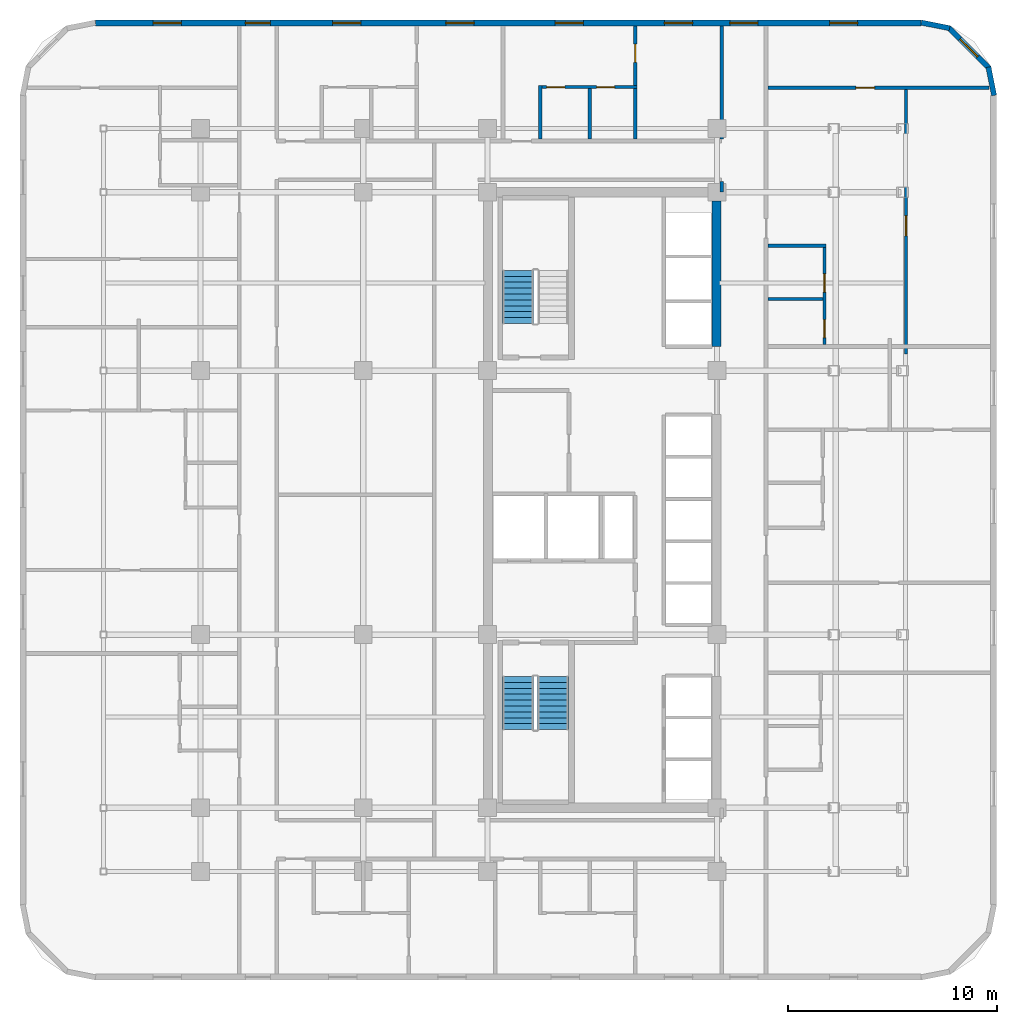
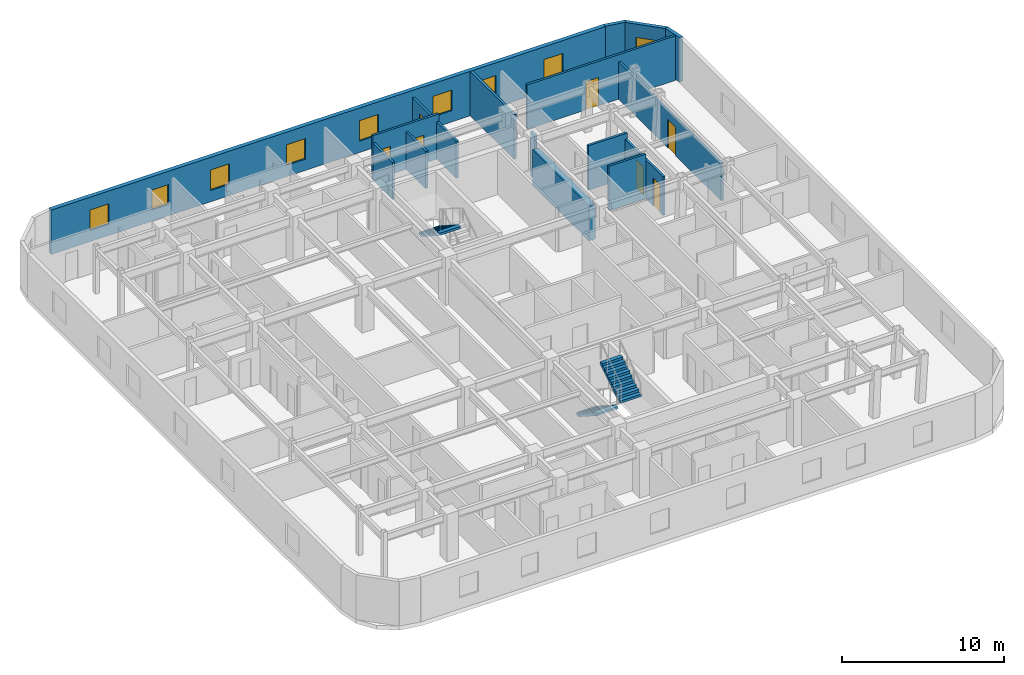
# One storey, part 10 of 12: 16 walls, 9 windows, 7 doors, 3 stair flights, 16 openings, 2 elements without a shape of their own.
"""IFC4 building model written with IfcOpenShell, lengths in metres."""

from ifc_helpers import new_model, si_unit, direction, frame, frame_2d, origin, place, context, subcontext, project, spatial, polyline, rectangle, outline, extrude, material, layer, layer_set, type_object, element, fill, aggregate, save


model = new_model("IFC4")

# Units and contexts
model_context = context("Model", 3, precision=1e-05, world=origin(), true_north=direction((0.0, 1.0)))
body_context = subcontext(model_context, "Body", "Model", "MODEL_VIEW")
ifc_project = project(units=[si_unit("LENGTHUNIT", "METRE"), si_unit("AREAUNIT", "SQUARE_METRE"), si_unit("VOLUMEUNIT", "CUBIC_METRE"), si_unit("PLANEANGLEUNIT", "RADIAN"), si_unit("MASSUNIT", "GRAM", prefix="KILO")], contexts=[model_context])

# Site, building, storey
site_placement = place(None, origin())
site = spatial("IfcSite", under=ifc_project, at=site_placement, CompositionType="ELEMENT")
building_placement = place(site_placement, origin())
building = spatial("IfcBuilding", under=site, at=building_placement, Name="Ochreholt Gables", CompositionType="ELEMENT")
storey_placement = place(building_placement, frame((0.0, 0.0, 24.0)))
storey = spatial("IfcBuildingStorey", under=building, at=storey_placement, Name="L05", CompositionType="ELEMENT", Elevation=24.0)

# Wall
ifc_material_1 = material(Name="Concrete 60 MPa", Category="concrete")
ifc_layer_1 = layer(ifc_material_1, 0.449951171875, Name="Concrete 60 MPa")
ifc_layer_set_1 = layer_set([ifc_layer_1], Name="Concrete 60 MPa")
wall_type_1 = type_object("IfcWallType", Name="WALL-CSW-450", PredefinedType="SHEAR", material=ifc_layer_set_1)
wall_1_placement = place(storey_placement, frame((35.175048828125, 31.35009765625, 0.0), z_axis=(0.0, 0.0, 1.0), x_axis=(0.0, 1.0, 0.0)))
element("IfcWall", 1, at=wall_1_placement, inside=storey, type_object=wall_type_1, Name="L05 Core North-East Shear Wall", PredefinedType="SHEAR", context=body_context, shape_type="SweptSolid", body=[
    extrude(rectangle(XDim=6.974853515625, YDim=0.449951171875, at=frame_2d((3.4873046875, 0.0))), origin(), (0.0, 0.0, 1.0), 2.6669921875),
])

# Wall, openings, windows
ifc_material_2 = material(Name="Precast concrete 40 MPa", Category="concrete")
ifc_layer_2 = layer(ifc_material_2, 0.2900390625, Name="Precast concrete 40 MPa")
ifc_layer_set_2 = layer_set([ifc_layer_2], Name="Precast concrete 40 MPa")
wall_type_2 = type_object("IfcWallType", Name="WALL-EXT-290", PredefinedType="SOLIDWALL", material=ifc_layer_set_2)
wall_2_placement = place(storey_placement, frame((44.97998046875, 46.85498046875, 0.0), z_axis=(0.0, 0.0, 1.0), x_axis=(-1.0, 0.0, 0.0)))
wall_2 = element("IfcWall", 2, at=wall_2_placement, inside=storey, type_object=wall_type_2, Name="L05 North Exterior Wall", PredefinedType="SOLIDWALL", context=body_context, shape_type="SweptSolid", body=[
    extrude(rectangle(XDim=39.56005859375, YDim=0.2900390625, at=frame_2d((19.780029296875, 0.0))), origin(), (0.0, 0.0, 1.0), 3.360107421875),
])
opening_1_placement = place(wall_2_placement, frame((35.445068359375, 0.0, 0.85009765625)))
opening_1 = element("IfcOpeningElement", 3, at=opening_1_placement, cuts=wall_2, Name="Opening WN-8", PredefinedType="OPENING", context=body_context, shape_type="SweptSolid", body=[
    extrude(rectangle(XDim=1.35009765625, YDim=1.550048828125, at=frame_2d((0.675048828125, 0.77490234375))), frame((0.0, 0.155029296875, 0.0), z_axis=(0.0, -1.0, 0.0), x_axis=(1.0, 0.0, 0.0)), (0.0, 0.0, 1.0), 0.31005859375),
])
opening_2_placement = place(wall_2_placement, frame((31.179931640625, 0.0, 0.85009765625)))
opening_2 = element("IfcOpeningElement", 4, at=opening_2_placement, cuts=wall_2, Name="Opening WN-3", PredefinedType="OPENING", context=body_context, shape_type="SweptSolid", body=[
    extrude(rectangle(XDim=1.199951171875, YDim=1.5, at=frame_2d((0.60009765625, 0.75))), frame((0.0, 0.155029296875, 0.0), z_axis=(0.0, -1.0, 0.0), x_axis=(1.0, 0.0, 0.0)), (0.0, 0.0, 1.0), 0.31005859375),
])
opening_3_placement = place(wall_2_placement, frame((26.85009765625, 0.0, 0.85009765625)))
opening_3 = element("IfcOpeningElement", 5, at=opening_3_placement, cuts=wall_2, Name="Opening WN-8", PredefinedType="OPENING", context=body_context, shape_type="SweptSolid", body=[
    extrude(rectangle(XDim=1.35009765625, YDim=1.550048828125, at=frame_2d((0.675048828125, 0.77490234375))), frame((0.0, 0.155029296875, 0.0), z_axis=(0.0, -1.0, 0.0), x_axis=(1.0, 0.0, 0.0)), (0.0, 0.0, 1.0), 0.31005859375),
])
opening_4_placement = place(wall_2_placement, frame((21.42529296875, 0.0, 0.85009765625)))
opening_4 = element("IfcOpeningElement", 6, at=opening_4_placement, cuts=wall_2, Name="Opening WN-8", PredefinedType="OPENING", context=body_context, shape_type="SweptSolid", body=[
    extrude(rectangle(XDim=1.35009765625, YDim=1.550048828125, at=frame_2d((0.675048828125, 0.77490234375))), frame((0.0, 0.155029296875, 0.0), z_axis=(0.0, -1.0, 0.0), x_axis=(1.0, 0.0, 0.0)), (0.0, 0.0, 1.0), 0.31005859375),
])
opening_5_placement = place(wall_2_placement, frame((16.190185546875, 0.0, 0.85009765625)))
opening_5 = element("IfcOpeningElement", 7, at=opening_5_placement, cuts=wall_2, Name="Opening WN-8", PredefinedType="OPENING", context=body_context, shape_type="SweptSolid", body=[
    extrude(rectangle(XDim=1.35009765625, YDim=1.550048828125, at=frame_2d((0.675048828125, 0.77490234375))), frame((0.0, 0.155029296875, 0.0), z_axis=(0.0, -1.0, 0.0), x_axis=(1.0, 0.0, 0.0)), (0.0, 0.0, 1.0), 0.31005859375),
])
opening_6_placement = place(wall_2_placement, frame((10.955078125, 0.0, 0.85009765625)))
opening_6 = element("IfcOpeningElement", 8, at=opening_6_placement, cuts=wall_2, Name="Opening WN-8", PredefinedType="OPENING", context=body_context, shape_type="SweptSolid", body=[
    extrude(rectangle(XDim=1.35009765625, YDim=1.550048828125, at=frame_2d((0.675048828125, 0.77490234375))), frame((0.0, 0.155029296875, 0.0), z_axis=(0.0, -1.0, 0.0), x_axis=(1.0, 0.0, 0.0)), (0.0, 0.0, 1.0), 0.31005859375),
])
opening_7_placement = place(wall_2_placement, frame((7.820068359375, 0.0, 0.85009765625)))
opening_7 = element("IfcOpeningElement", 9, at=opening_7_placement, cuts=wall_2, Name="Opening WN-8", PredefinedType="OPENING", context=body_context, shape_type="SweptSolid", body=[
    extrude(rectangle(XDim=1.35009765625, YDim=1.550048828125, at=frame_2d((0.675048828125, 0.77490234375))), frame((0.0, 0.155029296875, 0.0), z_axis=(0.0, -1.0, 0.0), x_axis=(1.0, 0.0, 0.0)), (0.0, 0.0, 1.0), 0.31005859375),
])
opening_8_placement = place(wall_2_placement, frame((3.0400390625, 0.0, 0.85009765625)))
opening_8 = element("IfcOpeningElement", 10, at=opening_8_placement, cuts=wall_2, Name="Opening WN-8", PredefinedType="OPENING", context=body_context, shape_type="SweptSolid", body=[
    extrude(rectangle(XDim=1.35009765625, YDim=1.550048828125, at=frame_2d((0.675048828125, 0.77490234375))), frame((0.0, 0.155029296875, 0.0), z_axis=(0.0, -1.0, 0.0), x_axis=(1.0, 0.0, 0.0)), (0.0, 0.0, 1.0), 0.31005859375),
])
ifc_material_3 = material(Name="Triple-Glazed Thermally Broken Aluminium Window", Category="aluminium")
window_type_1 = type_object("IfcWindowType", Name="WIN-RES-1200", PartitioningType="SINGLE_PANEL", PredefinedType="WINDOW", material=ifc_material_3)
window_1_placement = place(opening_2_placement, origin())
window_1 = element("IfcWindow", 11, at=window_1_placement, inside=storey, type_object=window_type_1, Name="L05 Window W-EXT-N-L05-2", OverallHeight=1.5, OverallWidth=1.199951171875, PartitioningType="SINGLE_PANEL", PredefinedType="WINDOW", context=body_context, shape_type="SweptSolid", body=[
    extrude(rectangle(XDim=1.199951171875, YDim=1.5, at=frame_2d((0.60009765625, 0.75))), frame((0.0, 0.030029296875, 0.0), z_axis=(0.0, -1.0, 0.0), x_axis=(1.0, 0.0, 0.0)), (0.0, 0.0, 1.0), 0.06005859375),
])
fill(opening_2, window_1)
window_type_2 = type_object("IfcWindowType", Name="WIN-RES-1350", PartitioningType="SINGLE_PANEL", PredefinedType="WINDOW", material=ifc_material_3)
window_2_placement = place(opening_1_placement, origin())
window_2 = element("IfcWindow", 12, at=window_2_placement, inside=storey, type_object=window_type_2, Name="L05 Window W-EXT-N-L05-1", OverallHeight=1.550048828125, OverallWidth=1.35009765625, PartitioningType="SINGLE_PANEL", PredefinedType="WINDOW", context=body_context, shape_type="SweptSolid", body=[
    extrude(rectangle(XDim=1.35009765625, YDim=1.550048828125, at=frame_2d((0.675048828125, 0.77490234375))), frame((0.0, 0.030029296875, 0.0), z_axis=(0.0, -1.0, 0.0), x_axis=(1.0, 0.0, 0.0)), (0.0, 0.0, 1.0), 0.06005859375),
])
fill(opening_1, window_2)
window_3_placement = place(opening_3_placement, origin())
window_3 = element("IfcWindow", 13, at=window_3_placement, inside=storey, type_object=window_type_2, Name="L05 Window W-EXT-N-L05-3", OverallHeight=1.550048828125, OverallWidth=1.35009765625, PartitioningType="SINGLE_PANEL", PredefinedType="WINDOW", context=body_context, shape_type="SweptSolid", body=[
    extrude(rectangle(XDim=1.35009765625, YDim=1.550048828125, at=frame_2d((0.675048828125, 0.77490234375))), frame((0.0, 0.030029296875, 0.0), z_axis=(0.0, -1.0, 0.0), x_axis=(1.0, 0.0, 0.0)), (0.0, 0.0, 1.0), 0.06005859375),
])
fill(opening_3, window_3)
window_4_placement = place(opening_4_placement, origin())
window_4 = element("IfcWindow", 14, at=window_4_placement, inside=storey, type_object=window_type_2, Name="L05 Window W-EXT-N-L05-4", OverallHeight=1.550048828125, OverallWidth=1.35009765625, PartitioningType="SINGLE_PANEL", PredefinedType="WINDOW", context=body_context, shape_type="SweptSolid", body=[
    extrude(rectangle(XDim=1.35009765625, YDim=1.550048828125, at=frame_2d((0.675048828125, 0.77490234375))), frame((0.0, 0.030029296875, 0.0), z_axis=(0.0, -1.0, 0.0), x_axis=(1.0, 0.0, 0.0)), (0.0, 0.0, 1.0), 0.06005859375),
])
fill(opening_4, window_4)
window_5_placement = place(opening_5_placement, origin())
window_5 = element("IfcWindow", 15, at=window_5_placement, inside=storey, type_object=window_type_2, Name="L05 Window W-EXT-N-L05-5", OverallHeight=1.550048828125, OverallWidth=1.35009765625, PartitioningType="SINGLE_PANEL", PredefinedType="WINDOW", context=body_context, shape_type="SweptSolid", body=[
    extrude(rectangle(XDim=1.35009765625, YDim=1.550048828125, at=frame_2d((0.675048828125, 0.77490234375))), frame((0.0, 0.030029296875, 0.0), z_axis=(0.0, -1.0, 0.0), x_axis=(1.0, 0.0, 0.0)), (0.0, 0.0, 1.0), 0.06005859375),
])
fill(opening_5, window_5)
window_6_placement = place(opening_6_placement, origin())
window_6 = element("IfcWindow", 16, at=window_6_placement, inside=storey, type_object=window_type_2, Name="L05 Window W-EXT-N-L05-6", OverallHeight=1.550048828125, OverallWidth=1.35009765625, PartitioningType="SINGLE_PANEL", PredefinedType="WINDOW", context=body_context, shape_type="SweptSolid", body=[
    extrude(rectangle(XDim=1.35009765625, YDim=1.550048828125, at=frame_2d((0.675048828125, 0.77490234375))), frame((0.0, 0.030029296875, 0.0), z_axis=(0.0, -1.0, 0.0), x_axis=(1.0, 0.0, 0.0)), (0.0, 0.0, 1.0), 0.06005859375),
])
fill(opening_6, window_6)
window_7_placement = place(opening_7_placement, origin())
window_7 = element("IfcWindow", 17, at=window_7_placement, inside=storey, type_object=window_type_2, Name="L05 Window W-EXT-N-L05-7", OverallHeight=1.550048828125, OverallWidth=1.35009765625, PartitioningType="SINGLE_PANEL", PredefinedType="WINDOW", context=body_context, shape_type="SweptSolid", body=[
    extrude(rectangle(XDim=1.35009765625, YDim=1.550048828125, at=frame_2d((0.675048828125, 0.77490234375))), frame((0.0, 0.030029296875, 0.0), z_axis=(0.0, -1.0, 0.0), x_axis=(1.0, 0.0, 0.0)), (0.0, 0.0, 1.0), 0.06005859375),
])
fill(opening_7, window_7)
window_8_placement = place(opening_8_placement, origin())
window_8 = element("IfcWindow", 18, at=window_8_placement, inside=storey, type_object=window_type_2, Name="L05 Window W-EXT-N-L05-8", OverallHeight=1.550048828125, OverallWidth=1.35009765625, PartitioningType="SINGLE_PANEL", PredefinedType="WINDOW", context=body_context, shape_type="SweptSolid", body=[
    extrude(rectangle(XDim=1.35009765625, YDim=1.550048828125, at=frame_2d((0.675048828125, 0.77490234375))), frame((0.0, 0.030029296875, 0.0), z_axis=(0.0, -1.0, 0.0), x_axis=(1.0, 0.0, 0.0)), (0.0, 0.0, 1.0), 0.06005859375),
])
fill(opening_8, window_8)

# Wall
ifc_layer_3 = layer(ifc_material_2, 0.25, Name="Precast concrete 40 MPa")
ifc_layer_set_3 = layer_set([ifc_layer_3], Name="Precast concrete 40 MPa")
wall_type_3 = type_object("IfcWallType", Name="WALL-EXT-CNR", PredefinedType="SOLIDWALL", material=ifc_layer_set_3)
wall_3_placement = place(storey_placement, frame((48.475830078125, 43.383544921875, 0.0), z_axis=(0.0, 0.0, 1.0), x_axis=(-0.19496651342, 0.980809899341, 0.0)))
element("IfcWall", 19, at=wall_3_placement, inside=storey, type_object=wall_type_3, Name="L05 Rounded Corner Wall NE-1", PredefinedType="SOLIDWALL", context=body_context, shape_type="SweptSolid", body=[
    extrude(rectangle(XDim=1.388671875, YDim=0.25, at=frame_2d((0.6943359375, 0.0))), origin(), (0.0, 0.0, 1.0), 3.360107421875),
])

# Wall, opening, window
wall_4_placement = place(storey_placement, frame((48.23193359375, 44.695068359375, 0.0), z_axis=(0.0, 0.0, 1.0), x_axis=(-0.707106781187, 0.707106781187, 0.0)))
wall_4 = element("IfcWall", 20, at=wall_4_placement, inside=storey, type_object=wall_type_3, Name="L05 Rounded Corner Wall NE-2", PredefinedType="SOLIDWALL", context=body_context, shape_type="SweptSolid", body=[
    extrude(rectangle(XDim=2.7392578125, YDim=0.25, at=frame_2d((1.36962890625, 0.0))), origin(), (0.0, 0.0, 1.0), 3.360107421875),
])
opening_9_placement = place(wall_4_placement, frame((0.769775390625, 0.0, 0.85009765625)))
opening_9 = element("IfcOpeningElement", 21, at=opening_9_placement, cuts=wall_4, Name="Opening WN-3", PredefinedType="OPENING", context=body_context, shape_type="SweptSolid", body=[
    extrude(rectangle(XDim=1.199951171875, YDim=1.5, at=frame_2d((0.60009765625, 0.75))), frame((0.0, 0.135009765625, 0.0), z_axis=(0.0, -1.0, 0.0), x_axis=(1.0, 0.0, 0.0)), (0.0, 0.0, 1.0), 0.27001953125),
])
window_9_placement = place(opening_9_placement, origin())
window_9 = element("IfcWindow", 22, at=window_9_placement, inside=storey, type_object=window_type_1, Name="L05 Corner Bedroom Window NE", OverallHeight=1.5, OverallWidth=1.199951171875, PartitioningType="SINGLE_PANEL", PredefinedType="WINDOW", context=body_context, shape_type="SweptSolid", body=[
    extrude(rectangle(XDim=1.199951171875, YDim=1.5, at=frame_2d((0.60009765625, 0.75))), frame((0.0, 0.030029296875, 0.0), z_axis=(0.0, -1.0, 0.0), x_axis=(1.0, 0.0, 0.0)), (0.0, 0.0, 1.0), 0.06005859375),
])
fill(opening_9, window_9)

# Walls
wall_5_placement = place(storey_placement, frame((46.345458984375, 46.60498046875, 0.0), z_axis=(0.0, 0.0, 1.0), x_axis=(-0.980809899341, 0.19496651342, 0.0)))
element("IfcWall", 23, at=wall_5_placement, inside=storey, type_object=wall_type_3, Name="L05 Rounded Corner Wall NE-3", PredefinedType="SOLIDWALL", context=body_context, shape_type="SweptSolid", body=[
    extrude(rectangle(XDim=1.388671875, YDim=0.25, at=frame_2d((0.6943359375, 0.0))), origin(), (0.0, 0.0, 1.0), 3.360107421875),
])
ifc_material_4 = material(Name="Fire-Rated Gypsum Acoustic Partition", Category="gypsum")
ifc_layer_4 = layer(ifc_material_4, 0.179931640625, Name="Fire-Rated Gypsum Acoustic Partition")
ifc_layer_set_4 = layer_set([ifc_layer_4], Name="Fire-Rated Gypsum Acoustic Partition")
wall_type_4 = type_object("IfcWallType", Name="WALL-INT-CR180", PredefinedType="STANDARD", material=ifc_layer_set_4)
wall_6_placement = place(storey_placement, frame((35.419921875, 38.75, 0.0), z_axis=(0.0, 0.0, 1.0), x_axis=(0.0, 1.0, 0.0)))
element("IfcWall", 24, at=wall_6_placement, inside=storey, type_object=wall_type_4, Name="L05 Interior Wall WI-C1ENW2-L05", PredefinedType="STANDARD", context=body_context, shape_type="SweptSolid", body=[
    extrude(rectangle(XDim=0.510009765625, YDim=0.179931640625, at=frame_2d((0.2548828125, 0.0))), origin(), (0.0, 0.0, 1.0), 3.360107421875),
])
ifc_material_5 = material(Name="Double-Stud Acoustic Demising Wall", Category="gypsum")
ifc_layer_5 = layer(ifc_material_5, 0.179931640625, Name="Double-Stud Acoustic Demising Wall")
ifc_layer_set_5 = layer_set([ifc_layer_5], Name="Double-Stud Acoustic Demising Wall")
wall_type_5 = type_object("IfcWallType", Name="WALL-INT-DM180", PredefinedType="PARTITIONING", material=ifc_layer_set_5)
wall_7_placement = place(storey_placement, frame((35.419921875, 41.2900390625, 0.0), z_axis=(0.0, 0.0, 1.0), x_axis=(0.0, 1.0, 0.0)))
element("IfcWall", 25, at=wall_7_placement, inside=storey, type_object=wall_type_5, Name="L05 Interior Wall WI-C1ENW-L05", PredefinedType="PARTITIONING", context=body_context, shape_type="SweptSolid", body=[
    extrude(rectangle(XDim=5.419921875, YDim=0.179931640625, at=frame_2d((2.7099609375, 0.0))), origin(), (0.0, 0.0, 1.0), 3.360107421875),
])
ifc_material_6 = material(Name="Moisture-Resistant Plumbing Chase Wall", Category="gypsum")
ifc_layer_6 = layer(ifc_material_6, 0.159912109375, Name="Moisture-Resistant Plumbing Chase Wall")
ifc_layer_set_6 = layer_set([ifc_layer_6], Name="Moisture-Resistant Plumbing Chase Wall")
wall_type_6 = type_object("IfcWallType", Name="WALL-INT-PL160", PredefinedType="PLUMBINGWALL", material=ifc_layer_set_6)
wall_8_placement = place(storey_placement, frame((37.639892578125, 36.185546875, 0.0), z_axis=(0.0, 0.0, 1.0), x_axis=(1.0, 0.0, 0.0)))
element("IfcWall", 26, at=wall_8_placement, inside=storey, type_object=wall_type_6, Name="L05 Interior Wall WU-L05E3-FYN", PredefinedType="PLUMBINGWALL", context=body_context, shape_type="SweptSolid", body=[
    extrude(rectangle(XDim=2.7880859375, YDim=0.159912109375, at=frame_2d((1.39404296875, 0.0))), origin(), (0.0, 0.0, 1.0), 3.360107421875),
])

# Wall, openings, doors
wall_9_placement = place(storey_placement, frame((40.347900390625, 31.449951171875, 0.0), z_axis=(0.0, 0.0, 1.0), x_axis=(0.0, 1.0, 0.0)))
wall_9 = element("IfcWall", 27, at=wall_9_placement, inside=storey, type_object=wall_type_6, Name="L05 Interior Wall WU-L05E3-WX", PredefinedType="PLUMBINGWALL", context=body_context, shape_type="SweptSolid", body=[
    extrude(rectangle(XDim=4.825439453125, YDim=0.159912109375, at=frame_2d((2.41259765625, 0.0))), origin(), (0.0, 0.0, 1.0), 2.931884765625),
])
opening_10_placement = place(wall_9_placement, frame((0.330078125, 0.0, 0.0)))
opening_10 = element("IfcOpeningElement", 28, at=opening_10_placement, cuts=wall_9, Name="Opening D-BT1", PredefinedType="OPENING", context=body_context, shape_type="SweptSolid", body=[
    extrude(rectangle(XDim=0.860107421875, YDim=2.1201171875, at=frame_2d((0.43017578125, 1.06005859375))), frame((0.0, 0.08984375, 0.0), z_axis=(0.0, -1.0, 0.0), x_axis=(1.0, 0.0, 0.0)), (0.0, 0.0, 1.0), 0.179931640625),
])
opening_11_placement = place(wall_9_placement, frame((2.50830078125, 0.0, 0.0)))
opening_11 = element("IfcOpeningElement", 29, at=opening_11_placement, cuts=wall_9, Name="Opening D-GN2", PredefinedType="OPENING", context=body_context, shape_type="SweptSolid", body=[
    extrude(rectangle(XDim=0.8798828125, YDim=2.1201171875, at=frame_2d((0.43994140625, 1.06005859375))), frame((0.0, 0.08984375, 0.0), z_axis=(0.0, -1.0, 0.0), x_axis=(1.0, 0.0, 0.0)), (0.0, 0.0, 1.0), 0.179931640625),
])
ifc_material_7 = material(Name="Engineered Oak Timber", Category="wood")
door_type_1 = type_object("IfcDoorType", Name="DR-INT-BTH860", OperationType="NOTDEFINED", PredefinedType="DOOR", material=ifc_material_7)
door_1_placement = place(opening_10_placement, origin())
door_1 = element("IfcDoor", 30, at=door_1_placement, inside=storey, type_object=door_type_1, Name="L05 Door D-U-L05E3-BTH", OperationType="SINGLE_SWING_LEFT", OverallHeight=2.1201171875, OverallWidth=0.860107421875, PredefinedType="DOOR", context=body_context, shape_type="SweptSolid", body=[
    extrude(rectangle(XDim=0.860107421875, YDim=2.1201171875, at=frame_2d((0.43017578125, 1.06005859375))), frame((0.0, 0.02490234375, 0.0), z_axis=(0.0, -1.0, 0.0), x_axis=(1.0, 0.0, 0.0)), (0.0, 0.0, 1.0), 0.050048828125),
])
fill(opening_10, door_1)
door_type_2 = type_object("IfcDoorType", Name="DR-INT-GEN880", OperationType="NOTDEFINED", PredefinedType="DOOR", material=ifc_material_7)
door_2_placement = place(opening_11_placement, origin())
door_2 = element("IfcDoor", 31, at=door_2_placement, inside=storey, type_object=door_type_2, Name="L05 Door D-U-L05E3-KIT", OperationType="SINGLE_SWING_RIGHT", OverallHeight=2.1201171875, OverallWidth=0.8798828125, PredefinedType="DOOR", context=body_context, shape_type="SweptSolid", body=[
    extrude(rectangle(XDim=0.8798828125, YDim=2.1201171875, at=frame_2d((0.43994140625, 1.06005859375))), frame((0.0, 0.02490234375, 0.0), z_axis=(0.0, -1.0, 0.0), x_axis=(1.0, 0.0, 0.0)), (0.0, 0.0, 1.0), 0.050048828125),
])
fill(opening_11, door_2)

# Wall
wall_10_placement = place(storey_placement, frame((37.639892578125, 33.62841796875, 0.0), z_axis=(0.0, 0.0, 1.0), x_axis=(1.0, 0.0, 0.0)))
element("IfcWall", 32, at=wall_10_placement, inside=storey, type_object=wall_type_6, Name="L05 Interior Wall WU-L05E3-WK", PredefinedType="PLUMBINGWALL", context=body_context, shape_type="SweptSolid", body=[
    extrude(rectangle(XDim=2.628173828125, YDim=0.159912109375, at=frame_2d((1.31396484375, 0.0))), origin(), (0.0, 0.0, 1.0), 3.360107421875),
])

# Wall, openings, doors
wall_11_placement = place(storey_placement, frame((26.64990234375, 43.78759765625, 0.0), z_axis=(0.0, 0.0, 1.0), x_axis=(1.0, 0.0, 0.0)))
wall_11 = element("IfcWall", 33, at=wall_11_placement, inside=storey, type_object=wall_type_6, Name="L05 Interior Wall WU-L05N2-WY", PredefinedType="PLUMBINGWALL", context=body_context, shape_type="SweptSolid", body=[
    extrude(rectangle(XDim=4.710205078125, YDim=0.159912109375, at=frame_2d((2.35498046875, 0.0))), origin(), (0.0, 0.0, 1.0), 3.360107421875),
])
opening_12_placement = place(wall_11_placement, frame((0.3798828125, 0.0, 0.0)))
opening_12 = element("IfcOpeningElement", 34, at=opening_12_placement, cuts=wall_11, Name="Opening D-GN2", PredefinedType="OPENING", context=body_context, shape_type="SweptSolid", body=[
    extrude(rectangle(XDim=0.8798828125, YDim=2.1201171875, at=frame_2d((0.43994140625, 1.06005859375))), frame((0.0, 0.08984375, 0.0), z_axis=(0.0, -1.0, 0.0), x_axis=(1.0, 0.0, 0.0)), (0.0, 0.0, 1.0), 0.179931640625),
])
opening_13_placement = place(wall_11_placement, frame((2.785888671875, 0.0, 0.0)))
opening_13 = element("IfcOpeningElement", 35, at=opening_13_placement, cuts=wall_11, Name="Opening D-BT1", PredefinedType="OPENING", context=body_context, shape_type="SweptSolid", body=[
    extrude(rectangle(XDim=0.860107421875, YDim=2.1201171875, at=frame_2d((0.43017578125, 1.06005859375))), frame((0.0, 0.08984375, 0.0), z_axis=(0.0, -1.0, 0.0), x_axis=(1.0, 0.0, 0.0)), (0.0, 0.0, 1.0), 0.179931640625),
])
door_3_placement = place(opening_13_placement, origin())
door_3 = element("IfcDoor", 36, at=door_3_placement, inside=storey, type_object=door_type_1, Name="L05 Door D-U-L05N2-BTH", OperationType="SINGLE_SWING_LEFT", OverallHeight=2.1201171875, OverallWidth=0.860107421875, PredefinedType="DOOR", context=body_context, shape_type="SweptSolid", body=[
    extrude(rectangle(XDim=0.860107421875, YDim=2.1201171875, at=frame_2d((0.43017578125, 1.06005859375))), frame((0.0, 0.02490234375, 0.0), z_axis=(0.0, -1.0, 0.0), x_axis=(1.0, 0.0, 0.0)), (0.0, 0.0, 1.0), 0.050048828125),
])
fill(opening_13, door_3)
door_4_placement = place(opening_12_placement, origin())
door_4 = element("IfcDoor", 37, at=door_4_placement, inside=storey, type_object=door_type_2, Name="L05 Door D-U-L05N2-KIT", OperationType="SINGLE_SWING_RIGHT", OverallHeight=2.1201171875, OverallWidth=0.8798828125, PredefinedType="DOOR", context=body_context, shape_type="SweptSolid", body=[
    extrude(rectangle(XDim=0.8798828125, YDim=2.1201171875, at=frame_2d((0.43994140625, 1.06005859375))), frame((0.0, 0.02490234375, 0.0), z_axis=(0.0, -1.0, 0.0), x_axis=(1.0, 0.0, 0.0)), (0.0, 0.0, 1.0), 0.050048828125),
])
fill(opening_12, door_4)

# Walls
wall_12_placement = place(storey_placement, frame((26.72998046875, 41.2900390625, 0.0), z_axis=(0.0, 0.0, 1.0), x_axis=(0.0, 1.0, 0.0)))
element("IfcWall", 38, at=wall_12_placement, inside=storey, type_object=wall_type_6, Name="L05 Interior Wall WU-L05N2-FY", PredefinedType="PLUMBINGWALL", context=body_context, shape_type="SweptSolid", body=[
    extrude(rectangle(XDim=2.577392578125, YDim=0.159912109375, at=frame_2d((1.28857421875, 0.0))), origin(), (0.0, 0.0, 1.0), 2.80908203125),
])
wall_13_placement = place(storey_placement, frame((29.095947265625, 41.2900390625, 0.0), z_axis=(0.0, 0.0, 1.0), x_axis=(0.0, 1.0, 0.0)))
element("IfcWall", 39, at=wall_13_placement, inside=storey, type_object=wall_type_6, Name="L05 Interior Wall WU-L05N2-WK", PredefinedType="PLUMBINGWALL", context=body_context, shape_type="SweptSolid", body=[
    extrude(rectangle(XDim=2.41748046875, YDim=0.159912109375, at=frame_2d((1.208740234375, 0.0))), origin(), (0.0, 0.0, 1.0), 2.80908203125),
])

# Wall, opening, door
ifc_material_8 = material(Name="Gypsum Acoustic Stud Partition", Category="gypsum")
ifc_layer_7 = layer(ifc_material_8, 0.159912109375, Name="Gypsum Acoustic Stud Partition")
ifc_layer_set_7 = layer_set([ifc_layer_7], Name="Gypsum Acoustic Stud Partition")
wall_type_7 = type_object("IfcWallType", Name="WALL-INT-PT160", PredefinedType="PARTITIONING", material=ifc_layer_set_7)
wall_14_placement = place(storey_placement, frame((37.639892578125, 43.760009765625, 0.0), z_axis=(0.0, 0.0, 1.0), x_axis=(1.0, 0.0, 0.0)))
wall_14 = element("IfcWall", 40, at=wall_14_placement, inside=storey, type_object=wall_type_7, Name="L05 Interior Wall WU-L05E3-MN", PredefinedType="PARTITIONING", context=body_context, shape_type="SweptSolid", body=[
    extrude(rectangle(XDim=10.597900390625, YDim=0.159912109375, at=frame_2d((5.298828125, 0.0))), origin(), (0.0, 0.0, 1.0), 3.360107421875),
])
opening_14_placement = place(wall_14_placement, frame((4.211181640625, 0.0, 0.0)))
opening_14 = element("IfcOpeningElement", 41, at=opening_14_placement, cuts=wall_14, Name="Opening D-BD1", PredefinedType="OPENING", context=body_context, shape_type="SweptSolid", body=[
    extrude(rectangle(XDim=0.89990234375, YDim=2.139892578125, at=frame_2d((0.449951171875, 1.06982421875))), frame((0.0, 0.08984375, 0.0), z_axis=(0.0, -1.0, 0.0), x_axis=(1.0, 0.0, 0.0)), (0.0, 0.0, 1.0), 0.179931640625),
])
door_type_3 = type_object("IfcDoorType", Name="DR-INT-BED900", OperationType="NOTDEFINED", PredefinedType="DOOR", material=ifc_material_7)
door_5_placement = place(opening_14_placement, origin())
door_5 = element("IfcDoor", 42, at=door_5_placement, inside=storey, type_object=door_type_3, Name="L05 Door D-U-L05E3-BD1", OperationType="SINGLE_SWING_LEFT", OverallHeight=2.139892578125, OverallWidth=0.89990234375, PredefinedType="DOOR", context=body_context, shape_type="SweptSolid", body=[
    extrude(rectangle(XDim=0.89990234375, YDim=2.139892578125, at=frame_2d((0.449951171875, 1.06982421875))), frame((0.0, 0.02490234375, 0.0), z_axis=(0.0, -1.0, 0.0), x_axis=(1.0, 0.0, 0.0)), (0.0, 0.0, 1.0), 0.050048828125),
])
fill(opening_14, door_5)

wall_15_placement = place(storey_placement, frame((44.254150390625, 31.0, 0.0), z_axis=(0.0, 0.0, 1.0), x_axis=(0.0, 1.0, 0.0)))
wall_15 = element("IfcWall", 43, at=wall_15_placement, inside=storey, type_object=wall_type_7, Name="L05 Interior Wall WU-L05E3-DNV", PredefinedType="PARTITIONING", context=body_context, shape_type="SweptSolid", body=[
    extrude(rectangle(XDim=12.840087890625, YDim=0.159912109375, at=frame_2d((6.419921875, 0.0))), origin(), (0.0, 0.0, 1.0), 2.80908203125),
])
opening_15_placement = place(wall_15_placement, frame((5.659912109375, 0.0, 0.0)))
opening_15 = element("IfcOpeningElement", 44, at=opening_15_placement, cuts=wall_15, Name="Opening D-GN1", PredefinedType="OPENING", context=body_context, shape_type="SweptSolid", body=[
    extrude(rectangle(XDim=0.949951171875, YDim=2.14990234375, at=frame_2d((0.47509765625, 1.074951171875))), frame((0.0, 0.08984375, 0.0), z_axis=(0.0, -1.0, 0.0), x_axis=(1.0, 0.0, 0.0)), (0.0, 0.0, 1.0), 0.179931640625),
])
door_type_4 = type_object("IfcDoorType", Name="DR-INT-GEN950", OperationType="NOTDEFINED", PredefinedType="DOOR", material=ifc_material_7)
door_6_placement = place(opening_15_placement, origin())
door_6 = element("IfcDoor", 45, at=door_6_placement, inside=storey, type_object=door_type_4, Name="L05 Door D-U-L05E3-DIN", OperationType="SINGLE_SWING_LEFT", OverallHeight=2.14990234375, OverallWidth=0.949951171875, PredefinedType="DOOR", context=body_context, shape_type="SweptSolid", body=[
    extrude(rectangle(XDim=0.949951171875, YDim=2.14990234375, at=frame_2d((0.47509765625, 1.074951171875))), frame((0.0, 0.02490234375, 0.0), z_axis=(0.0, -1.0, 0.0), x_axis=(1.0, 0.0, 0.0)), (0.0, 0.0, 1.0), 0.050048828125),
])
fill(opening_15, door_6)

wall_16_placement = place(storey_placement, frame((31.280029296875, 41.2900390625, 0.0), z_axis=(0.0, 0.0, 1.0), x_axis=(0.0, 1.0, 0.0)))
wall_16 = element("IfcWall", 46, at=wall_16_placement, inside=storey, type_object=wall_type_7, Name="L05 Interior Wall WU-L05N2-MNX", PredefinedType="PARTITIONING", context=body_context, shape_type="SweptSolid", body=[
    extrude(rectangle(XDim=5.419921875, YDim=0.159912109375, at=frame_2d((2.7099609375, 0.0))), origin(), (0.0, 0.0, 1.0), 2.80908203125),
])
opening_16_placement = place(wall_16_placement, frame((3.6787109375, 0.0, 0.0)))
opening_16 = element("IfcOpeningElement", 47, at=opening_16_placement, cuts=wall_16, Name="Opening D-BD2", PredefinedType="OPENING", context=body_context, shape_type="SweptSolid", body=[
    extrude(rectangle(XDim=0.8798828125, YDim=2.139892578125, at=frame_2d((0.43994140625, 1.06982421875))), frame((0.0, 0.08984375, 0.0), z_axis=(0.0, -1.0, 0.0), x_axis=(1.0, 0.0, 0.0)), (0.0, 0.0, 1.0), 0.179931640625),
])
door_type_5 = type_object("IfcDoorType", Name="DR-INT-BED880", OperationType="NOTDEFINED", PredefinedType="DOOR", material=ifc_material_7)
door_7_placement = place(opening_16_placement, origin())
door_7 = element("IfcDoor", 48, at=door_7_placement, inside=storey, type_object=door_type_5, Name="L05 Door D-U-L05N2-BD1", OperationType="SINGLE_SWING_RIGHT", OverallHeight=2.139892578125, OverallWidth=0.8798828125, PredefinedType="DOOR", context=body_context, shape_type="SweptSolid", body=[
    extrude(rectangle(XDim=0.8798828125, YDim=2.139892578125, at=frame_2d((0.43994140625, 1.06982421875))), frame((0.0, 0.02490234375, 0.0), z_axis=(0.0, -1.0, 0.0), x_axis=(1.0, 0.0, 0.0)), (0.0, 0.0, 1.0), 0.050048828125),
])
fill(opening_16, door_7)

# Stair, stair flights
ifc_material_9 = material(Name="Concrete 40 MPa", Category="concrete")
stair_type_1 = type_object("IfcStairType", Name="STAIR-CORE-ST-1", PredefinedType="HALF_TURN_STAIR", material=ifc_material_9)
stair_1_placement = place(storey_placement, origin())
stair_1 = element("IfcStair", 49, at=stair_1_placement, inside=storey, type_object=stair_type_1, Name="L05 Core Exit Stair 1", PredefinedType="HALF_TURN_STAIR")
stair_flight_type = type_object("IfcStairFlightType", Name="FLIGHT-ST-1480-1800", PredefinedType="STRAIGHT", material=ifc_material_9)
stair_flight_1_placement = place(storey_placement, frame((25.659912109375, 15.5400390625, 0.0), z_axis=(0.0, 0.0, 1.0), x_axis=(0.0, -1.0, 0.0)))
stair_flight_1 = element("IfcStairFlight", 50, at=stair_flight_1_placement, type_object=stair_flight_type, Name="ST-1 flight 1", NumberOfRisers=10, NumberOfTreads=9, PredefinedType="STRAIGHT", RiserHeight=0.18, TreadLength=0.282, context=body_context, shape_type="SweptSolid", body=[
    extrude(outline(polyline([(0.0, 0.0), (0.0, 0.179931640625), (0.281982421875, 0.179931640625), (0.281982421875, 0.360107421875), (0.56396484375, 0.360107421875), (0.56396484375, 0.5400390625), (0.845947265625, 0.5400390625), (0.845947265625, 0.719970703125), (1.1279296875, 0.719970703125), (1.1279296875, 0.89990234375), (1.409912109375, 0.89990234375), (1.409912109375, 1.080078125), (1.69189453125, 1.080078125), (1.69189453125, 1.260009765625), (1.97412109375, 1.260009765625), (1.97412109375, 1.43994140625), (2.256103515625, 1.43994140625), (2.256103515625, 1.6201171875), (2.5380859375, 1.6201171875), (2.5380859375, 1.800048828125), (2.5380859375, 1.442138671875), (0.278564453125, 0.0), (0.0, 0.0)])), frame((0.0, 0.739990234375, 0.0), z_axis=(0.0, -1.0, 0.0), x_axis=(1.0, 0.0, 0.0)), (0.0, 0.0, 1.0), 1.47998046875),
])
stair_flight_2_placement = place(storey_placement, frame((27.340087890625, 13.001953125, 1.800048828125), z_axis=(0.0, 0.0, 1.0), x_axis=(0.0, 1.0, 0.0)))
stair_flight_2 = element("IfcStairFlight", 51, at=stair_flight_2_placement, type_object=stair_flight_type, Name="ST-1 flight 2", NumberOfRisers=10, NumberOfTreads=9, PredefinedType="STRAIGHT", RiserHeight=0.18, TreadLength=0.282, context=body_context, shape_type="SweptSolid", body=[
    extrude(outline(polyline([(0.0, 0.0), (0.0, 0.179931640625), (0.281982421875, 0.179931640625), (0.281982421875, 0.360107421875), (0.56396484375, 0.360107421875), (0.56396484375, 0.5400390625), (0.845947265625, 0.5400390625), (0.845947265625, 0.719970703125), (1.1279296875, 0.719970703125), (1.1279296875, 0.89990234375), (1.409912109375, 0.89990234375), (1.409912109375, 1.080078125), (1.69189453125, 1.080078125), (1.69189453125, 1.260009765625), (1.97412109375, 1.260009765625), (1.97412109375, 1.43994140625), (2.256103515625, 1.43994140625), (2.256103515625, 1.6201171875), (2.5380859375, 1.6201171875), (2.5380859375, 1.800048828125), (2.5380859375, 1.442138671875), (0.278564453125, 0.0), (0.0, 0.0)])), frame((0.0, 0.739990234375, 0.0), z_axis=(0.0, -1.0, 0.0), x_axis=(1.0, 0.0, 0.0)), (0.0, 0.0, 1.0), 1.47998046875),
])
aggregate(stair_1, [stair_flight_1, stair_flight_2])

# Stair, stair flight
stair_type_2 = type_object("IfcStairType", Name="STAIR-CORE-ST-2", PredefinedType="HALF_TURN_STAIR", material=ifc_material_9)
stair_2_placement = place(storey_placement, origin())
stair_2 = element("IfcStair", 52, at=stair_2_placement, inside=storey, type_object=stair_type_2, Name="L05 Core Exit Stair 2", PredefinedType="HALF_TURN_STAIR")
stair_flight_3_placement = place(storey_placement, frame((25.659912109375, 34.998046875, 1.800048828125), z_axis=(0.0, 0.0, 1.0), x_axis=(0.0, -1.0, 0.0)))
stair_flight_3 = element("IfcStairFlight", 53, at=stair_flight_3_placement, type_object=stair_flight_type, Name="ST-2 flight 2", NumberOfRisers=10, NumberOfTreads=9, PredefinedType="STRAIGHT", RiserHeight=0.18, TreadLength=0.282, context=body_context, shape_type="SweptSolid", body=[
    extrude(outline(polyline([(0.0, 0.0), (0.0, 0.179931640625), (0.281982421875, 0.179931640625), (0.281982421875, 0.360107421875), (0.56396484375, 0.360107421875), (0.56396484375, 0.5400390625), (0.845947265625, 0.5400390625), (0.845947265625, 0.719970703125), (1.1279296875, 0.719970703125), (1.1279296875, 0.89990234375), (1.409912109375, 0.89990234375), (1.409912109375, 1.080078125), (1.69189453125, 1.080078125), (1.69189453125, 1.260009765625), (1.97412109375, 1.260009765625), (1.97412109375, 1.43994140625), (2.256103515625, 1.43994140625), (2.256103515625, 1.6201171875), (2.5380859375, 1.6201171875), (2.5380859375, 1.800048828125), (2.5380859375, 1.442138671875), (0.278564453125, 0.0), (0.0, 0.0)])), frame((0.0, 0.739990234375, 0.0), z_axis=(0.0, -1.0, 0.0), x_axis=(1.0, 0.0, 0.0)), (0.0, 0.0, 1.0), 1.47998046875),
])
aggregate(stair_2, [stair_flight_3])

save(model, "model.ifc")
